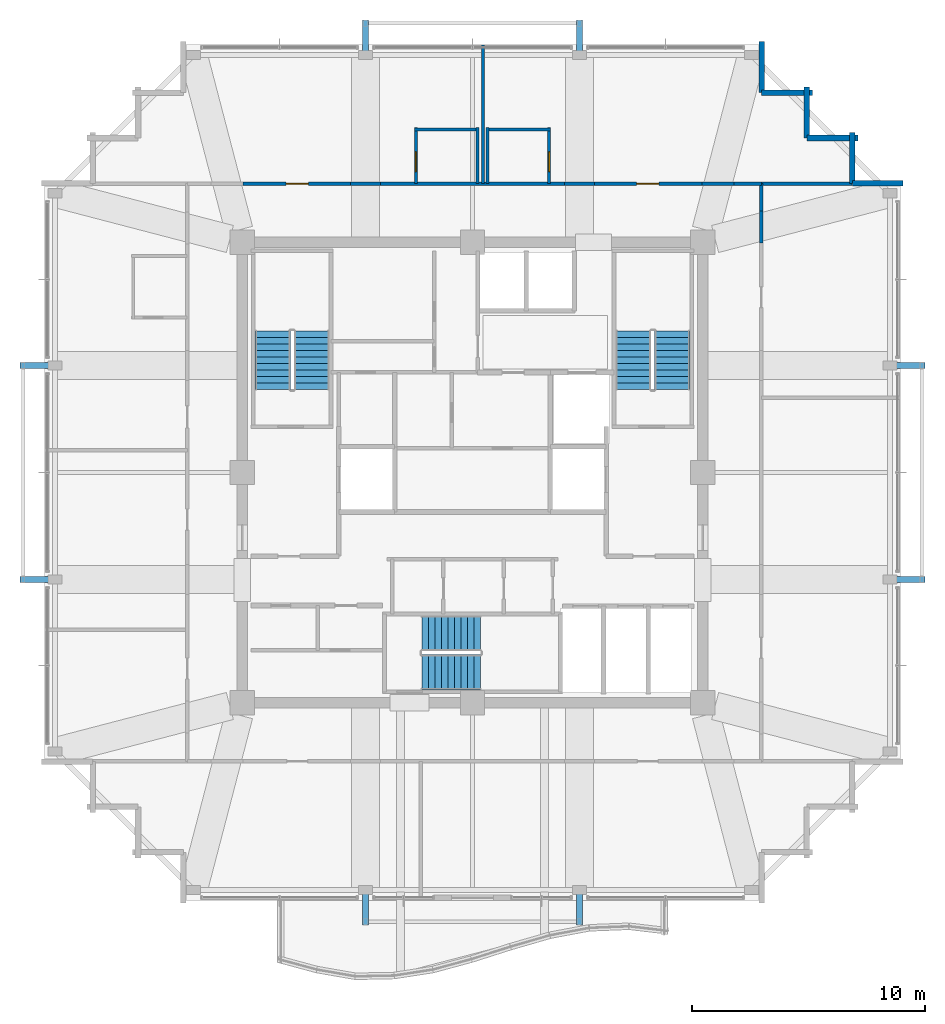
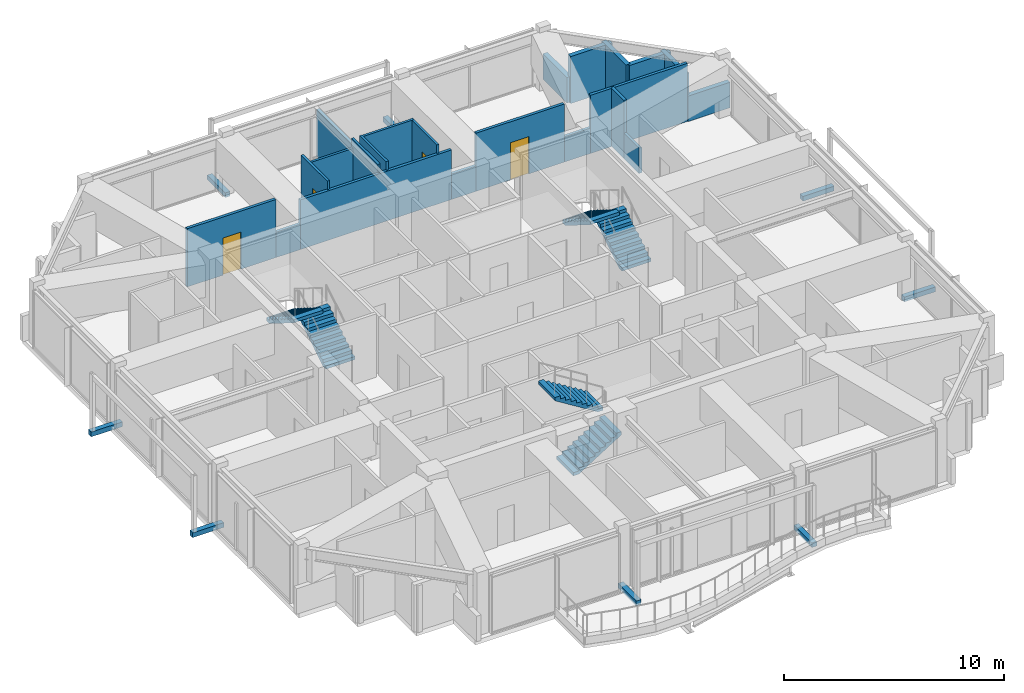
# One storey, part 29 of 30: 23 walls, 8 discrete accessories, 6 stair flights, 4 doors, 4 openings, 3 elements without a shape of their own.
"""IFC4 building model written with IfcOpenShell, lengths in metres."""

from ifc_helpers import new_model, si_unit, direction, frame, frame_2d, origin, origin_2d, place, context, subcontext, project, spatial, polyline, rectangle, outline, extrude, material, layer, layer_set, type_object, element, fill, aggregate, save


model = new_model("IFC4")

# Units and contexts
model_context = context("Model", 3, precision=1e-05, world=origin(), true_north=direction((0.0, 1.0)))
body_context = subcontext(model_context, "Body", "Model", "MODEL_VIEW")
ifc_project = project(units=[si_unit("LENGTHUNIT", "METRE"), si_unit("AREAUNIT", "SQUARE_METRE"), si_unit("VOLUMEUNIT", "CUBIC_METRE"), si_unit("PLANEANGLEUNIT", "RADIAN"), si_unit("MASSUNIT", "GRAM", prefix="KILO")], contexts=[model_context])

# Site, building, storey
site_placement = place(None, origin())
site = spatial("IfcSite", under=ifc_project, at=site_placement, CompositionType="ELEMENT")
building_placement = place(site_placement, origin())
building = spatial("IfcBuilding", under=site, at=building_placement, Name="Kolvaren Belvedere", CompositionType="ELEMENT")
storey_placement = place(building_placement, frame((0.0, 0.0, 254.89990234375)))
storey = spatial("IfcBuildingStorey", under=building, at=storey_placement, Name="L74", CompositionType="ELEMENT", Elevation=254.89990234375)

# Wall, opening, door
ifc_material_1 = material(Name="Gypsum fire-rated partition assembly", Category="gypsum")
ifc_layer_1 = layer(ifc_material_1, 0.14990234375)
ifc_layer_set_1 = layer_set([ifc_layer_1], Name="Gypsum fire-rated partition assembly")
wall_type_1 = type_object("IfcWallType", Name="WL-CORR-150", PredefinedType="PARTITIONING", material=ifc_layer_set_1)
wall_1_placement = place(storey_placement, frame((-9.872314453125, 12.419921875, 0.0), z_axis=(0.0, 0.0, 1.0), x_axis=(1.0, 0.0, 0.0)))
wall_1 = element("IfcWall", 1, at=wall_1_placement, inside=storey, type_object=wall_type_1, Name="L74 North Corridor Wall", PredefinedType="PARTITIONING", context=body_context, shape_type="SweptSolid", body=[
    extrude(rectangle(XDim=4.63037109375, YDim=0.14990234375, at=frame_2d((2.315185546875, 0.0))), origin(), (0.0, 0.0, 1.0), 3.22021484375),
])
opening_1_placement = place(wall_1_placement, frame((1.8623046875, 0.0, 0.0)))
opening_1 = element("IfcOpeningElement", 2, at=opening_1_placement, cuts=wall_1, Name="Opening D-FD60", PredefinedType="OPENING", context=body_context, shape_type="SweptSolid", body=[
    extrude(rectangle(XDim=0.949951171875, YDim=2.06005859375, at=frame_2d((0.47509765625, 1.030029296875))), frame((0.0, 0.0849609375, 0.0), z_axis=(0.0, -1.0, 0.0), x_axis=(1.0, 0.0, 0.0)), (0.0, 0.0, 1.0), 0.169921875),
])
ifc_material_2 = material(Name="Acoustic white-oak fire door leaf", Category="timber")
door_type_1 = type_object("IfcDoorType", Name="DR-FD60-950", OperationType="NOTDEFINED", PredefinedType="DOOR", material=ifc_material_2)
door_1_placement = place(opening_1_placement, origin())
door_1 = element("IfcDoor", 3, at=door_1_placement, inside=storey, type_object=door_type_1, Name="L74 King Guest Room 7408 Entry Door", OperationType="SINGLE_SWING_LEFT", OverallHeight=2.06005859375, OverallWidth=0.949951171875, PredefinedType="DOOR", context=body_context, shape_type="SweptSolid", body=[
    extrude(rectangle(XDim=0.949951171875, YDim=2.06005859375, at=frame_2d((0.47509765625, 1.030029296875))), frame((0.0, 0.02490234375, 0.0), z_axis=(0.0, -1.0, 0.0), x_axis=(1.0, 0.0, 0.0)), (0.0, 0.0, 1.0), 0.050048828125),
])
fill(opening_1, door_1)

# Walls
wall_2_placement = place(storey_placement, frame((-5.241943359375, 12.419921875, 0.0), z_axis=(0.0, 0.0, 1.0), x_axis=(1.0, 0.0, 0.0)))
element("IfcWall", 4, at=wall_2_placement, inside=storey, type_object=wall_type_1, Name="L74 North Corridor Wall", PredefinedType="PARTITIONING", context=body_context, shape_type="SweptSolid", body=[
    extrude(rectangle(XDim=1.283935546875, YDim=0.14990234375, at=frame_2d((0.64208984375, 0.0))), origin(), (0.0, 0.0, 1.0), 1.405029296875),
])
wall_3_placement = place(storey_placement, frame((-3.9580078125, 12.419921875, 0.0), z_axis=(0.0, 0.0, 1.0), x_axis=(1.0, 0.0, 0.0)))
element("IfcWall", 5, at=wall_3_placement, inside=storey, type_object=wall_type_1, Name="L74 North Corridor Wall", PredefinedType="PARTITIONING", context=body_context, shape_type="SweptSolid", body=[
    extrude(rectangle(XDim=7.916015625, YDim=0.14990234375, at=frame_2d((3.9580078125, 0.0))), origin(), (0.0, 0.0, 1.0), 2.7451171875),
])
wall_4_placement = place(storey_placement, frame((3.9580078125, 12.419921875, 0.0), z_axis=(0.0, 0.0, 1.0), x_axis=(1.0, 0.0, 0.0)))
element("IfcWall", 6, at=wall_4_placement, inside=storey, type_object=wall_type_1, Name="L74 North Corridor Wall", PredefinedType="PARTITIONING", context=body_context, shape_type="SweptSolid", body=[
    extrude(rectangle(XDim=1.283935546875, YDim=0.14990234375, at=frame_2d((0.64208984375, 0.0))), origin(), (0.0, 0.0, 1.0), 1.405029296875),
])

# Wall, opening, door
wall_5_placement = place(storey_placement, frame((5.241943359375, 12.419921875, 0.0), z_axis=(0.0, 0.0, 1.0), x_axis=(1.0, 0.0, 0.0)))
wall_5 = element("IfcWall", 7, at=wall_5_placement, inside=storey, type_object=wall_type_1, Name="L74 North Corridor Wall", PredefinedType="PARTITIONING", context=body_context, shape_type="SweptSolid", body=[
    extrude(rectangle(XDim=4.63037109375, YDim=0.14990234375, at=frame_2d((2.315185546875, 0.0))), origin(), (0.0, 0.0, 1.0), 3.22021484375),
])
opening_2_placement = place(wall_5_placement, frame((1.818115234375, 0.0, 0.0)))
opening_2 = element("IfcOpeningElement", 8, at=opening_2_placement, cuts=wall_5, Name="Opening D-FD60", PredefinedType="OPENING", context=body_context, shape_type="SweptSolid", body=[
    extrude(rectangle(XDim=0.949951171875, YDim=2.06005859375, at=frame_2d((0.47509765625, 1.030029296875))), frame((0.0, 0.0849609375, 0.0), z_axis=(0.0, -1.0, 0.0), x_axis=(1.0, 0.0, 0.0)), (0.0, 0.0, 1.0), 0.169921875),
])
door_2_placement = place(opening_2_placement, origin())
door_2 = element("IfcDoor", 9, at=door_2_placement, inside=storey, type_object=door_type_1, Name="L74 Botanical Hospitality Suite 7409 Entry Door", OperationType="SINGLE_SWING_LEFT", OverallHeight=2.06005859375, OverallWidth=0.949951171875, PredefinedType="DOOR", context=body_context, shape_type="SweptSolid", body=[
    extrude(rectangle(XDim=0.949951171875, YDim=2.06005859375, at=frame_2d((0.47509765625, 1.030029296875))), frame((0.0, 0.02490234375, 0.0), z_axis=(0.0, -1.0, 0.0), x_axis=(1.0, 0.0, 0.0)), (0.0, 0.0, 1.0), 0.050048828125),
])
fill(opening_2, door_2)

# Walls
wall_6_placement = place(storey_placement, frame((9.872314453125, 12.419921875, 0.0), z_axis=(0.0, 0.0, 1.0), x_axis=(1.0, 0.0, 0.0)))
element("IfcWall", 10, at=wall_6_placement, inside=storey, type_object=wall_type_1, Name="L74 North Corridor Wall", PredefinedType="PARTITIONING", context=body_context, shape_type="SweptSolid", body=[
    extrude(rectangle(XDim=1.3701171875, YDim=0.14990234375, at=frame_2d((0.68505859375, 0.0))), origin(), (0.0, 0.0, 1.0), 1.405029296875),
])
wall_7_placement = place(storey_placement, frame((11.242431640625, 12.419921875, 0.0), z_axis=(0.0, 0.0, 1.0), x_axis=(1.0, 0.0, 0.0)))
element("IfcWall", 11, at=wall_7_placement, inside=storey, type_object=wall_type_1, Name="L74 North Corridor Wall", PredefinedType="PARTITIONING", context=body_context, shape_type="SweptSolid", body=[
    extrude(rectangle(XDim=1.177490234375, YDim=0.14990234375, at=frame_2d((0.5888671875, 0.0))), origin(), (0.0, 0.0, 1.0), 3.22021484375),
])
wall_8_placement = place(storey_placement, frame((12.419921875, 9.872314453125, 0.0), z_axis=(0.0, 0.0, 1.0), x_axis=(0.0, 1.0, 0.0)))
element("IfcWall", 12, at=wall_8_placement, inside=storey, type_object=wall_type_1, Name="L74 East Corridor Wall", PredefinedType="PARTITIONING", context=body_context, shape_type="SweptSolid", body=[
    extrude(rectangle(XDim=1.3701171875, YDim=0.14990234375, at=frame_2d((0.68505859375, 0.0))), origin(), (0.0, 0.0, 1.0), 1.405029296875),
])
wall_9_placement = place(storey_placement, frame((12.419921875, 11.242431640625, 0.0), z_axis=(0.0, 0.0, 1.0), x_axis=(0.0, 1.0, 0.0)))
element("IfcWall", 13, at=wall_9_placement, inside=storey, type_object=wall_type_1, Name="L74 East Corridor Wall", PredefinedType="PARTITIONING", context=body_context, shape_type="SweptSolid", body=[
    extrude(rectangle(XDim=1.177490234375, YDim=0.14990234375, at=frame_2d((0.5888671875, 0.0))), origin(), (0.0, 0.0, 1.0), 3.22021484375),
])
ifc_material_3 = material(Name="Insulated pale-metal facade wall assembly", Category="aluminium")
ifc_layer_2 = layer(ifc_material_3, 0.239990234375)
ifc_layer_set_2 = layer_set([ifc_layer_2], Name="Insulated pale-metal facade wall assembly")
wall_type_2 = type_object("IfcWallType", Name="WL-EXT-240", PredefinedType="STANDARD", material=ifc_layer_set_2)
wall_10_placement = place(storey_placement, frame((16.330078125, 12.429931640625, 0.0), z_axis=(0.0, 0.0, 1.0), x_axis=(1.0, 0.0, 0.0)))
element("IfcWall", 14, at=wall_10_placement, inside=storey, type_object=wall_type_2, Name="L74 Serrated Corner Facade Wall 9", PredefinedType="STANDARD", context=body_context, shape_type="SweptSolid", body=[
    extrude(rectangle(XDim=2.18994140625, YDim=0.239990234375, at=frame_2d((1.094970703125, 0.0))), origin(), (0.0, 0.0, 1.0), 1.4150390625),
])
for number, where, z_axis, x_axis, name in (
    (15, (16.330078125, 14.6201171875, 0.0), (0.0, 0.0, 1.0), (0.0, -1.0, 0.0), "L74 Serrated Corner Facade Wall 10"),
    (16, (14.3798828125, 14.3798828125, 0.0), (0.0, 0.0, 1.0), (1.0, 0.0, 0.0), "L74 Serrated Corner Facade Wall 11"),
    (17, (14.3798828125, 16.570068359375, 0.0), (0.0, 0.0, 1.0), (0.0, -1.0, 0.0), "L74 Serrated Corner Facade Wall 12"),
    (18, (12.429931640625, 16.330078125, 0.0), (0.0, 0.0, 1.0), (1.0, 0.0, 0.0), "L74 Serrated Corner Facade Wall 13"),
):
    element("IfcWall", number, at=place(storey_placement, frame(where, z_axis=z_axis, x_axis=x_axis)), inside=storey, type_object=wall_type_2, Name=name, PredefinedType="STANDARD", context=body_context, shape_type="SweptSolid", body=[
        extrude(rectangle(XDim=2.190185546875, YDim=0.239990234375, at=frame_2d((1.09521484375, 0.0))), origin(), (0.0, 0.0, 1.0), 2.60302734375),
    ])
wall_11_placement = place(storey_placement, frame((12.429931640625, 18.52001953125, 0.0), z_axis=(0.0, 0.0, 1.0), x_axis=(0.0, -1.0, 0.0)))
element("IfcWall", 19, at=wall_11_placement, inside=storey, type_object=wall_type_2, Name="L74 Serrated Corner Facade Wall 14", PredefinedType="STANDARD", context=body_context, shape_type="SweptSolid", body=[
    extrude(rectangle(XDim=2.18994140625, YDim=0.239990234375, at=frame_2d((1.094970703125, 0.0))), origin(), (0.0, 0.0, 1.0), 1.4150390625),
])
ifc_material_4 = material(Name="Gypsum acoustic partition assembly", Category="gypsum")
ifc_layer_3 = layer(ifc_material_4, 0.14990234375)
ifc_layer_set_3 = layer_set([ifc_layer_3], Name="Gypsum acoustic partition assembly")
wall_type_3 = type_object("IfcWallType", Name="WL-PART-150", PredefinedType="PARTITIONING", material=ifc_layer_set_3)
wall_12_placement = place(storey_placement, frame((12.419921875, 12.419921875, 0.0), z_axis=(0.0, 0.0, 1.0), x_axis=(1.0, 0.0, 0.0)))
element("IfcWall", 20, at=wall_12_placement, inside=storey, type_object=wall_type_3, Name="L74 Wing Divider PW-L74-QNE", PredefinedType="PARTITIONING", context=body_context, shape_type="SweptSolid", body=[
    extrude(rectangle(XDim=3.900146484375, YDim=0.14990234375, at=frame_2d((1.9501953125, 0.0))), origin(), (0.0, 0.0, 1.0), 3.22021484375),
])
wall_13_placement = place(storey_placement, frame((0.451904296875, 12.419921875, 0.0), z_axis=(0.0, 0.0, 1.0), x_axis=(0.0, 1.0, 0.0)))
element("IfcWall", 21, at=wall_13_placement, inside=storey, type_object=wall_type_3, Name="L74 North Suite Demising Wall 1", PredefinedType="PARTITIONING", context=body_context, shape_type="SweptSolid", body=[
    extrude(rectangle(XDim=5.9599609375, YDim=0.14990234375, at=frame_2d((2.97998046875, 0.0))), origin(), (0.0, 0.0, 1.0), 2.593017578125),
])

# Wall, opening, door
ifc_material_5 = material(Name="Moisture-resistant gypsum partition", Category="gypsum")
ifc_layer_4 = layer(ifc_material_5, 0.125)
ifc_layer_set_4 = layer_set([ifc_layer_4], Name="Moisture-resistant gypsum partition")
wall_type_4 = type_object("IfcWallType", Name="WL-WET-125", PredefinedType="PARTITIONING", material=ifc_layer_set_4)
wall_14_placement = place(storey_placement, frame((-2.43310546875, 12.43505859375, 0.0), z_axis=(0.0, 0.0, 1.0), x_axis=(0.0, 1.0, 0.0)))
wall_14 = element("IfcWall", 22, at=wall_14_placement, inside=storey, type_object=wall_type_4, Name="L74 Bathroom Partition PW-L74-BTH-8-E", PredefinedType="PARTITIONING", context=body_context, shape_type="SweptSolid", body=[
    extrude(rectangle(XDim=2.389892578125, YDim=0.125, at=frame_2d((1.19482421875, 0.0))), origin(), (0.0, 0.0, 1.0), 3.22021484375),
])
opening_3_placement = place(wall_14_placement, frame((0.5, 0.0, 0.0)))
opening_3 = element("IfcOpeningElement", 23, at=opening_3_placement, cuts=wall_14, Name="Opening D-BTH85", PredefinedType="OPENING", context=body_context, shape_type="SweptSolid", body=[
    extrude(rectangle(XDim=0.85009765625, YDim=2.030029296875, at=frame_2d((0.425048828125, 1.01513671875))), frame((0.0, 0.072509765625, 0.0), z_axis=(0.0, -1.0, 0.0), x_axis=(1.0, 0.0, 0.0)), (0.0, 0.0, 1.0), 0.14501953125),
])
ifc_material_6 = material(Name="Moisture-sealed Pacific white oak", Category="timber")
door_type_2 = type_object("IfcDoorType", Name="DR-BATH-850", OperationType="NOTDEFINED", PredefinedType="DOOR", material=ifc_material_6)
door_3_placement = place(opening_3_placement, origin())
door_3 = element("IfcDoor", 24, at=door_3_placement, inside=storey, type_object=door_type_2, Name="L74 En-Suite Bathroom 7408 Door", OperationType="SINGLE_SWING_RIGHT", OverallHeight=2.030029296875, OverallWidth=0.85009765625, PredefinedType="DOOR", context=body_context, shape_type="SweptSolid", body=[
    extrude(rectangle(XDim=0.85009765625, YDim=2.030029296875, at=frame_2d((0.425048828125, 1.01513671875))), frame((0.0, 0.02490234375, 0.0), z_axis=(0.0, -1.0, 0.0), x_axis=(1.0, 0.0, 0.0)), (0.0, 0.0, 1.0), 0.050048828125),
])
fill(opening_3, door_3)

# Walls
wall_15_placement = place(storey_placement, frame((-2.492919921875, 14.7451171875, 0.0), z_axis=(0.0, 0.0, 1.0), x_axis=(1.0, 0.0, 0.0)))
element("IfcWall", 25, at=wall_15_placement, inside=storey, type_object=wall_type_4, Name="L74 Bathroom Partition PW-L74-BTH-8-H", PredefinedType="PARTITIONING", context=body_context, shape_type="SweptSolid", body=[
    extrude(rectangle(XDim=2.77001953125, YDim=0.125, at=frame_2d((1.385009765625, 0.0))), origin(), (0.0, 0.0, 1.0), 2.7451171875),
])
wall_16_placement = place(storey_placement, frame((0.217041015625, 12.43505859375, 0.0), z_axis=(0.0, 0.0, 1.0), x_axis=(0.0, 1.0, 0.0)))
element("IfcWall", 26, at=wall_16_placement, inside=storey, type_object=wall_type_4, Name="L74 Bathroom Partition PW-L74-BTH-8-W", PredefinedType="PARTITIONING", context=body_context, shape_type="SweptSolid", body=[
    extrude(rectangle(XDim=2.389892578125, YDim=0.125, at=frame_2d((1.19482421875, 0.0))), origin(), (0.0, 0.0, 1.0), 3.22021484375),
])

# Wall, opening, door
wall_17_placement = place(storey_placement, frame((3.297119140625, 12.43505859375, 0.0), z_axis=(0.0, 0.0, 1.0), x_axis=(0.0, 1.0, 0.0)))
wall_17 = element("IfcWall", 27, at=wall_17_placement, inside=storey, type_object=wall_type_4, Name="L74 Bathroom Partition PW-L74-BTH-9-E", PredefinedType="PARTITIONING", context=body_context, shape_type="SweptSolid", body=[
    extrude(rectangle(XDim=2.389892578125, YDim=0.125, at=frame_2d((1.19482421875, 0.0))), origin(), (0.0, 0.0, 1.0), 3.22021484375),
])
opening_4_placement = place(wall_17_placement, frame((0.5, 0.0, 0.0)))
opening_4 = element("IfcOpeningElement", 28, at=opening_4_placement, cuts=wall_17, Name="Opening D-BTH85", PredefinedType="OPENING", context=body_context, shape_type="SweptSolid", body=[
    extrude(rectangle(XDim=0.85009765625, YDim=2.030029296875, at=frame_2d((0.425048828125, 1.01513671875))), frame((0.0, 0.072509765625, 0.0), z_axis=(0.0, -1.0, 0.0), x_axis=(1.0, 0.0, 0.0)), (0.0, 0.0, 1.0), 0.14501953125),
])
door_4_placement = place(opening_4_placement, origin())
door_4 = element("IfcDoor", 29, at=door_4_placement, inside=storey, type_object=door_type_2, Name="L74 En-Suite Bathroom 7409 Door", OperationType="SINGLE_SWING_RIGHT", OverallHeight=2.030029296875, OverallWidth=0.85009765625, PredefinedType="DOOR", context=body_context, shape_type="SweptSolid", body=[
    extrude(rectangle(XDim=0.85009765625, YDim=2.030029296875, at=frame_2d((0.425048828125, 1.01513671875))), frame((0.0, 0.02490234375, 0.0), z_axis=(0.0, -1.0, 0.0), x_axis=(1.0, 0.0, 0.0)), (0.0, 0.0, 1.0), 0.050048828125),
])
fill(opening_4, door_4)

# Walls
wall_18_placement = place(storey_placement, frame((0.5869140625, 14.7451171875, 0.0), z_axis=(0.0, 0.0, 1.0), x_axis=(1.0, 0.0, 0.0)))
element("IfcWall", 30, at=wall_18_placement, inside=storey, type_object=wall_type_4, Name="L74 Bathroom Partition PW-L74-BTH-9-H", PredefinedType="PARTITIONING", context=body_context, shape_type="SweptSolid", body=[
    extrude(rectangle(XDim=2.77001953125, YDim=0.125, at=frame_2d((1.385009765625, 0.0))), origin(), (0.0, 0.0, 1.0), 3.22021484375),
])
wall_19_placement = place(storey_placement, frame((0.64697265625, 12.43505859375, 0.0), z_axis=(0.0, 0.0, 1.0), x_axis=(0.0, 1.0, 0.0)))
element("IfcWall", 31, at=wall_19_placement, inside=storey, type_object=wall_type_4, Name="L74 Bathroom Partition PW-L74-BTH-9-W", PredefinedType="PARTITIONING", context=body_context, shape_type="SweptSolid", body=[
    extrude(rectangle(XDim=2.389892578125, YDim=0.125, at=frame_2d((1.19482421875, 0.0))), origin(), (0.0, 0.0, 1.0), 3.22021484375),
])

# Stair, stair flights
ifc_material_7 = material(Name="Concrete C50/60", Category="concrete")
stair_type = type_object("IfcStairType", Name="ST-CORE-1520", PredefinedType="HALF_TURN_STAIR", material=ifc_material_7)
stair_1_placement = place(storey_placement, origin())
stair_1 = element("IfcStair", 32, at=stair_1_placement, inside=storey, type_object=stair_type, Name="L74 Protected Exit Stair ST-1", PredefinedType="HALF_TURN_STAIR")
ifc_material_8 = material(Name="Concrete C50/60", Category="concrete")
stair_flight_type = type_object("IfcStairFlightType", Name="SF-STR-1520", PredefinedType="STRAIGHT", material=ifc_material_8)
stair_flight_1_placement = place(storey_placement, frame((-6.919921875, 3.570068359375, 0.0), z_axis=(0.0, 0.0, 1.0), x_axis=(0.0, 1.0, 0.0)))
stair_flight_1 = element("IfcStairFlight", 33, at=stair_flight_1_placement, type_object=stair_flight_type, Name="ST-1 flight 1", NumberOfRisers=10, NumberOfTreads=9, PredefinedType="STRAIGHT", RiserHeight=0.175, TreadLength=0.28, context=body_context, shape_type="SweptSolid", body=[
    extrude(outline(polyline([(0.0, 0.0), (0.0, 0.175048828125), (0.280029296875, 0.175048828125), (0.280029296875, 0.35009765625), (0.56005859375, 0.35009765625), (0.56005859375, 0.52490234375), (0.840087890625, 0.52490234375), (0.840087890625, 0.699951171875), (1.1201171875, 0.699951171875), (1.1201171875, 0.875), (1.39990234375, 0.875), (1.39990234375, 1.050048828125), (1.679931640625, 1.050048828125), (1.679931640625, 1.22509765625), (1.9599609375, 1.22509765625), (1.9599609375, 1.39990234375), (2.239990234375, 1.39990234375), (2.239990234375, 1.574951171875), (2.52001953125, 1.574951171875), (2.52001953125, 1.75), (2.52001953125, 1.398193359375), (0.28271484375, 0.0), (0.0, 0.0)])), frame((0.0, 0.760009765625, 0.0), z_axis=(0.0, -1.0, 0.0), x_axis=(1.0, 0.0, 0.0)), (0.0, 0.0, 1.0), 1.52001953125),
])
stair_flight_2_placement = place(storey_placement, frame((-8.590087890625, 6.090087890625, 1.75), z_axis=(0.0, 0.0, 1.0), x_axis=(0.0, -1.0, 0.0)))
stair_flight_2 = element("IfcStairFlight", 34, at=stair_flight_2_placement, type_object=stair_flight_type, Name="ST-1 flight 2", NumberOfRisers=10, NumberOfTreads=9, PredefinedType="STRAIGHT", RiserHeight=0.175, TreadLength=0.28, context=body_context, shape_type="SweptSolid", body=[
    extrude(outline(polyline([(0.0, 0.0), (0.0, 0.175048828125), (0.280029296875, 0.175048828125), (0.280029296875, 0.35009765625), (0.56005859375, 0.35009765625), (0.56005859375, 0.52490234375), (0.840087890625, 0.52490234375), (0.840087890625, 0.699951171875), (1.1201171875, 0.699951171875), (1.1201171875, 0.875), (1.39990234375, 0.875), (1.39990234375, 1.050048828125), (1.679931640625, 1.050048828125), (1.679931640625, 1.22509765625), (1.9599609375, 1.22509765625), (1.9599609375, 1.39990234375), (2.239990234375, 1.39990234375), (2.239990234375, 1.574951171875), (2.52001953125, 1.574951171875), (2.52001953125, 1.75), (2.52001953125, 1.398193359375), (0.28271484375, 0.0), (0.0, 0.0)])), frame((0.0, 0.760009765625, 0.0), z_axis=(0.0, -1.0, 0.0), x_axis=(1.0, 0.0, 0.0)), (0.0, 0.0, 1.0), 1.52001953125),
])
aggregate(stair_1, [stair_flight_1, stair_flight_2])

stair_2_placement = place(storey_placement, origin())
stair_2 = element("IfcStair", 35, at=stair_2_placement, inside=storey, type_object=stair_type, Name="L74 Protected Exit Stair ST-2", PredefinedType="HALF_TURN_STAIR")
stair_flight_3_placement = place(storey_placement, frame((8.590087890625, 3.570068359375, 0.0), z_axis=(0.0, 0.0, 1.0), x_axis=(0.0, 1.0, 0.0)))
stair_flight_3 = element("IfcStairFlight", 36, at=stair_flight_3_placement, type_object=stair_flight_type, Name="ST-2 flight 1", NumberOfRisers=10, NumberOfTreads=9, PredefinedType="STRAIGHT", RiserHeight=0.175, TreadLength=0.28, context=body_context, shape_type="SweptSolid", body=[
    extrude(outline(polyline([(0.0, 0.0), (0.0, 0.175048828125), (0.280029296875, 0.175048828125), (0.280029296875, 0.35009765625), (0.56005859375, 0.35009765625), (0.56005859375, 0.52490234375), (0.840087890625, 0.52490234375), (0.840087890625, 0.699951171875), (1.1201171875, 0.699951171875), (1.1201171875, 0.875), (1.39990234375, 0.875), (1.39990234375, 1.050048828125), (1.679931640625, 1.050048828125), (1.679931640625, 1.22509765625), (1.9599609375, 1.22509765625), (1.9599609375, 1.39990234375), (2.239990234375, 1.39990234375), (2.239990234375, 1.574951171875), (2.52001953125, 1.574951171875), (2.52001953125, 1.75), (2.52001953125, 1.398193359375), (0.28271484375, 0.0), (0.0, 0.0)])), frame((0.0, 0.760009765625, 0.0), z_axis=(0.0, -1.0, 0.0), x_axis=(1.0, 0.0, 0.0)), (0.0, 0.0, 1.0), 1.52001953125),
])
stair_flight_4_placement = place(storey_placement, frame((6.919921875, 6.090087890625, 1.75), z_axis=(0.0, 0.0, 1.0), x_axis=(0.0, -1.0, 0.0)))
stair_flight_4 = element("IfcStairFlight", 37, at=stair_flight_4_placement, type_object=stair_flight_type, Name="ST-2 flight 2", NumberOfRisers=10, NumberOfTreads=9, PredefinedType="STRAIGHT", RiserHeight=0.175, TreadLength=0.28, context=body_context, shape_type="SweptSolid", body=[
    extrude(outline(polyline([(0.0, 0.0), (0.0, 0.175048828125), (0.280029296875, 0.175048828125), (0.280029296875, 0.35009765625), (0.56005859375, 0.35009765625), (0.56005859375, 0.52490234375), (0.840087890625, 0.52490234375), (0.840087890625, 0.699951171875), (1.1201171875, 0.699951171875), (1.1201171875, 0.875), (1.39990234375, 0.875), (1.39990234375, 1.050048828125), (1.679931640625, 1.050048828125), (1.679931640625, 1.22509765625), (1.9599609375, 1.22509765625), (1.9599609375, 1.39990234375), (2.239990234375, 1.39990234375), (2.239990234375, 1.574951171875), (2.52001953125, 1.574951171875), (2.52001953125, 1.75), (2.52001953125, 1.398193359375), (0.28271484375, 0.0), (0.0, 0.0)])), frame((0.0, 0.760009765625, 0.0), z_axis=(0.0, -1.0, 0.0), x_axis=(1.0, 0.0, 0.0)), (0.0, 0.0, 1.0), 1.52001953125),
])
aggregate(stair_2, [stair_flight_3, stair_flight_4])

stair_3_placement = place(storey_placement, origin())
stair_3 = element("IfcStair", 38, at=stair_3_placement, inside=storey, type_object=stair_type, Name="L74 Protected Exit Stair ST-3", PredefinedType="HALF_TURN_STAIR")
stair_flight_5_placement = place(storey_placement, frame((-2.179931640625, -8.590087890625, 0.0), z_axis=(0.0, 0.0, 1.0), x_axis=(1.0, 0.0, 0.0)))
stair_flight_5 = element("IfcStairFlight", 39, at=stair_flight_5_placement, type_object=stair_flight_type, Name="ST-3 flight 1", NumberOfRisers=10, NumberOfTreads=9, PredefinedType="STRAIGHT", RiserHeight=0.175, TreadLength=0.28, context=body_context, shape_type="SweptSolid", body=[
    extrude(outline(polyline([(0.0, 0.0), (0.0, 0.175048828125), (0.280029296875, 0.175048828125), (0.280029296875, 0.35009765625), (0.56005859375, 0.35009765625), (0.56005859375, 0.52490234375), (0.840087890625, 0.52490234375), (0.840087890625, 0.699951171875), (1.1201171875, 0.699951171875), (1.1201171875, 0.875), (1.39990234375, 0.875), (1.39990234375, 1.050048828125), (1.679931640625, 1.050048828125), (1.679931640625, 1.22509765625), (1.9599609375, 1.22509765625), (1.9599609375, 1.39990234375), (2.239990234375, 1.39990234375), (2.239990234375, 1.574951171875), (2.52001953125, 1.574951171875), (2.52001953125, 1.75), (2.52001953125, 1.398193359375), (0.28271484375, 0.0), (0.0, 0.0)])), frame((0.0, 0.760009765625, 0.0), z_axis=(0.0, -1.0, 0.0), x_axis=(1.0, 0.0, 0.0)), (0.0, 0.0, 1.0), 1.52001953125),
])
stair_flight_6_placement = place(storey_placement, frame((0.340087890625, -6.919921875, 1.75), z_axis=(0.0, 0.0, 1.0), x_axis=(-1.0, 0.0, 0.0)))
stair_flight_6 = element("IfcStairFlight", 40, at=stair_flight_6_placement, type_object=stair_flight_type, Name="ST-3 flight 2", NumberOfRisers=10, NumberOfTreads=9, PredefinedType="STRAIGHT", RiserHeight=0.175, TreadLength=0.28, context=body_context, shape_type="SweptSolid", body=[
    extrude(outline(polyline([(0.0, 0.0), (0.0, 0.175048828125), (0.280029296875, 0.175048828125), (0.280029296875, 0.35009765625), (0.56005859375, 0.35009765625), (0.56005859375, 0.52490234375), (0.840087890625, 0.52490234375), (0.840087890625, 0.699951171875), (1.1201171875, 0.699951171875), (1.1201171875, 0.875), (1.39990234375, 0.875), (1.39990234375, 1.050048828125), (1.679931640625, 1.050048828125), (1.679931640625, 1.22509765625), (1.9599609375, 1.22509765625), (1.9599609375, 1.39990234375), (2.239990234375, 1.39990234375), (2.239990234375, 1.574951171875), (2.52001953125, 1.574951171875), (2.52001953125, 1.75), (2.52001953125, 1.398193359375), (0.28271484375, 0.0), (0.0, 0.0)])), frame((0.0, 0.760009765625, 0.0), z_axis=(0.0, -1.0, 0.0), x_axis=(1.0, 0.0, 0.0)), (0.0, 0.0, 1.0), 1.52001953125),
])
aggregate(stair_3, [stair_flight_5, stair_flight_6])

# Discrete accessories
ifc_material_9 = material(Name="Structural steel ASTM A572 Grade 50", Category="steel")
discrete_accessory_type = type_object("IfcDiscreteAccessoryType", Name="BRK-1 Steel Facade Support Bracket", PredefinedType="BRACKET", material=ifc_material_9)
for number, where, z_axis, x_axis, name in (
    (41, (-4.60009765625, 18.635009765625, -0.169921875), (0.0, 0.0, 1.0), (0.0, 1.0, 0.0), "L74 Picture-Frame Outrigger Cleat Bracket N1"),
    (42, (4.60009765625, 18.635009765625, -0.169921875), (0.0, 0.0, 1.0), (0.0, 1.0, 0.0), "L74 Picture-Frame Outrigger Cleat Bracket N2"),
    (43, (4.60009765625, -18.635009765625, -0.169921875), (0.0, 0.0, 1.0), (0.0, 1.0, 0.0), "L74 Picture-Frame Outrigger Cleat Bracket S1"),
    (44, (-4.60009765625, -18.635009765625, -0.169921875), (0.0, 0.0, 1.0), (0.0, 1.0, 0.0), "L74 Picture-Frame Outrigger Cleat Bracket S2"),
    (45, (18.635009765625, 4.60009765625, -0.169921875), (0.0, 0.0, 1.0), (1.0, 0.0, 0.0), "L74 Picture-Frame Outrigger Cleat Bracket E1"),
    (46, (18.635009765625, -4.60009765625, -0.169921875), (0.0, 0.0, 1.0), (1.0, 0.0, 0.0), "L74 Picture-Frame Outrigger Cleat Bracket E2"),
    (47, (-18.635009765625, -4.60009765625, -0.169921875), (0.0, 0.0, 1.0), (1.0, 0.0, 0.0), "L74 Picture-Frame Outrigger Cleat Bracket W1"),
    (48, (-18.635009765625, 4.60009765625, -0.169921875), (0.0, 0.0, 1.0), (1.0, 0.0, 0.0), "L74 Picture-Frame Outrigger Cleat Bracket W2"),
):
    element("IfcDiscreteAccessory", number, at=place(storey_placement, frame(where, z_axis=z_axis, x_axis=x_axis)), inside=storey, type_object=discrete_accessory_type, Name=name, PredefinedType="BRACKET", context=body_context, shape_type="SweptSolid", body=[
        extrude(rectangle(XDim=1.639892578125, YDim=0.260009765625, at=origin_2d()), origin(), (0.0, 0.0, 1.0), 0.260009765625),
    ])

save(model, "model.ifc")
